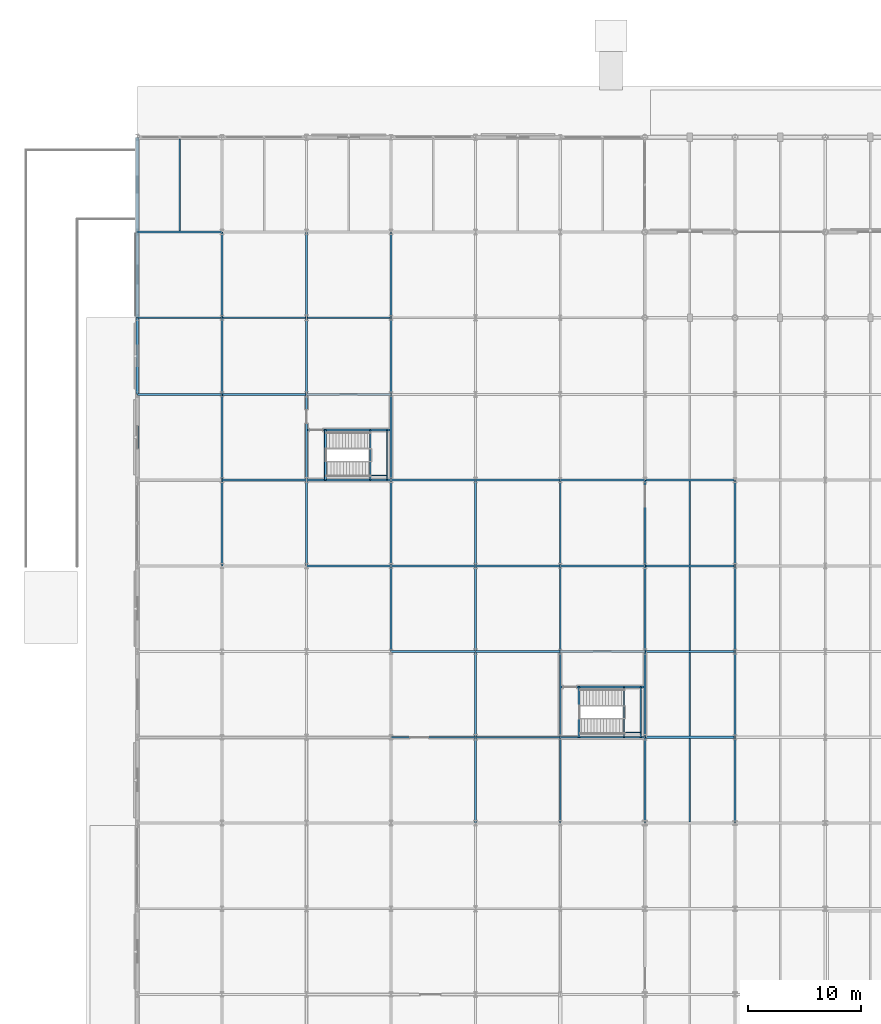
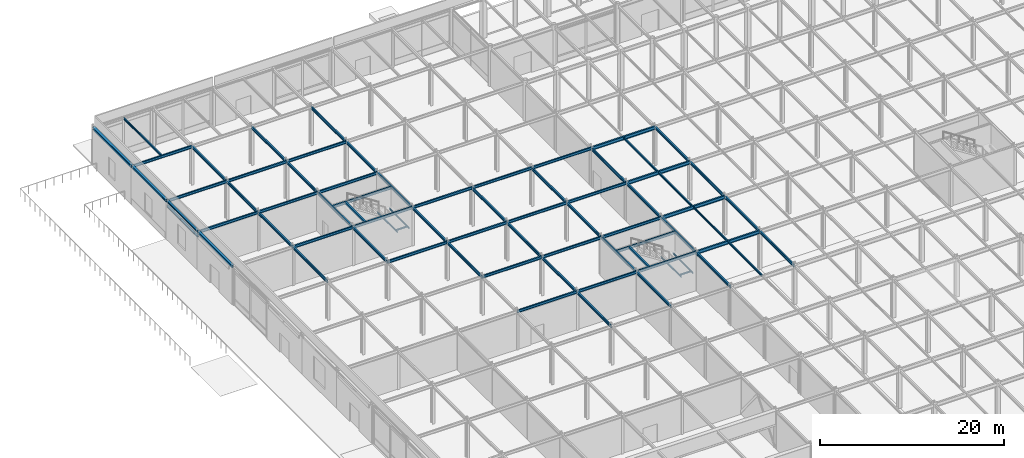
# One storey, part 30 of 89: 75 beams.
"""IFC4 building model written with IfcOpenShell, lengths in metres."""

from ifc_helpers import new_model, si_unit, direction, frame, origin, origin_2d, place, context, subcontext, project, spatial, hollow_rectangle, i_section, extrude, material, material_profile, profile_set, type_object, element, save


model = new_model("IFC4")

# Units and contexts
model_context = context("Model", 3, precision=1e-05, world=origin(), true_north=direction((0.0, 1.0)))
body_context = subcontext(model_context, "Body", "Model", "MODEL_VIEW")
ifc_project = project(units=[si_unit("LENGTHUNIT", "METRE"), si_unit("AREAUNIT", "SQUARE_METRE"), si_unit("VOLUMEUNIT", "CUBIC_METRE"), si_unit("PLANEANGLEUNIT", "RADIAN"), si_unit("MASSUNIT", "GRAM", prefix="KILO")], contexts=[model_context])

# Site, building, storey
site_placement = place(None, origin())
site = spatial("IfcSite", under=ifc_project, at=site_placement, CompositionType="ELEMENT")
building_placement = place(site_placement, origin())
building = spatial("IfcBuilding", under=site, at=building_placement, Name="Shalkamar Park Central Library", CompositionType="ELEMENT")
storey_placement = place(building_placement, origin())
storey = spatial("IfcBuildingStorey", under=building, at=storey_placement, Name="L01", CompositionType="ELEMENT", Elevation=0.0)

# Beams
ifc_material = material(Name="Steel S355", Category="steel")
ifc_material_profile_1 = material_profile(ifc_material, i_section(OverallWidth=0.10009765625, OverallDepth=0.199951171875, WebThickness=0.005615234375, FlangeThickness=0.008544921875, FilletRadius=0.011962890625, at=origin_2d()), Name="IPE 200")
ifc_profile_set_1 = profile_set([ifc_material_profile_1], Name="Steel S355")
beam_type_1 = type_object("IfcBeamType", Name="Composite Floor Joist IPE200", PredefinedType="JOIST", material=ifc_profile_set_1)
for number, where, z_axis, x_axis, name in (
    (1, (163.155029296875, 300.800048828125, 2.320068359375), (0.0, 1.0, 0.0), (-1.0, 0.0, 0.0), "Stair Half-Landing Beam ST-P2-L01-1"),
    (2, (164.64501953125, 300.800048828125, 2.320068359375), (0.0, 1.0, 0.0), (-1.0, 0.0, 0.0), "Stair Half-Landing Beam ST-P2-L01-2"),
):
    element("IfcBeam", number, at=place(storey_placement, frame(where, z_axis=z_axis, x_axis=x_axis)), inside=storey, type_object=beam_type_1, Name=name, PredefinedType="JOIST", context=body_context, shape_type="SweptSolid", body=[
        extrude(i_section(OverallWidth=0.10009765625, OverallDepth=0.199951171875, WebThickness=0.005615234375, FlangeThickness=0.008544921875, FilletRadius=0.011962890625, at=origin_2d()), origin(), (0.0, 0.0, 1.0), 4.449951171875),
    ])
beam_1_placement = place(storey_placement, frame((163.155029296875, 301.22509765625, 2.320068359375), z_axis=(1.0, 0.0, 0.0), x_axis=(0.0, 1.0, 0.0)))
element("IfcBeam", 3, at=beam_1_placement, inside=storey, type_object=beam_type_1, Name="Stair Half-Landing Cross Tie ST-P2-L01-3", PredefinedType="JOIST", context=body_context, shape_type="SweptSolid", body=[
    extrude(i_section(OverallWidth=0.10009765625, OverallDepth=0.199951171875, WebThickness=0.005615234375, FlangeThickness=0.008544921875, FilletRadius=0.011962890625, at=origin_2d()), origin(), (0.0, 0.0, 1.0), 1.489990234375),
])
for number, where, z_axis, x_axis, name in (
    (4, (140.655029296875, 323.60009765625, 2.320068359375), (0.0, 1.0, 0.0), (-1.0, 0.0, 0.0), "Stair Half-Landing Beam ST-P5-L01-1"),
    (5, (142.14501953125, 323.60009765625, 2.320068359375), (0.0, 1.0, 0.0), (-1.0, 0.0, 0.0), "Stair Half-Landing Beam ST-P5-L01-2"),
):
    element("IfcBeam", number, at=place(storey_placement, frame(where, z_axis=z_axis, x_axis=x_axis)), inside=storey, type_object=beam_type_1, Name=name, PredefinedType="JOIST", context=body_context, shape_type="SweptSolid", body=[
        extrude(i_section(OverallWidth=0.10009765625, OverallDepth=0.199951171875, WebThickness=0.005615234375, FlangeThickness=0.008544921875, FilletRadius=0.011962890625, at=origin_2d()), origin(), (0.0, 0.0, 1.0), 4.449951171875),
    ])
beam_2_placement = place(storey_placement, frame((140.655029296875, 324.02490234375, 2.320068359375), z_axis=(1.0, 0.0, 0.0), x_axis=(0.0, 1.0, 0.0)))
element("IfcBeam", 6, at=beam_2_placement, inside=storey, type_object=beam_type_1, Name="Stair Half-Landing Cross Tie ST-P5-L01-3", PredefinedType="JOIST", context=body_context, shape_type="SweptSolid", body=[
    extrude(i_section(OverallWidth=0.10009765625, OverallDepth=0.199951171875, WebThickness=0.005615234375, FlangeThickness=0.008544921875, FilletRadius=0.011962890625, at=origin_2d()), origin(), (0.0, 0.0, 1.0), 1.489990234375),
])
ifc_material_profile_2 = material_profile(ifc_material, i_section(OverallWidth=0.1201171875, OverallDepth=0.239990234375, WebThickness=0.006103515625, FlangeThickness=0.009765625, FilletRadius=0.014892578125, at=origin_2d()), Name="IPE 240")
ifc_profile_set_2 = profile_set([ifc_material_profile_2], Name="Steel S355")
beam_type_2 = type_object("IfcBeamType", Name="Composite Floor Joist IPE240", PredefinedType="JOIST", material=ifc_profile_set_2)
beam_3_placement = place(storey_placement, frame((169.0, 300.89306640625, 5.02001953125), z_axis=(0.0, 1.0, 0.0), x_axis=(-1.0, 0.0, 0.0)))
element("IfcBeam", 7, at=beam_3_placement, inside=storey, type_object=beam_type_2, Name="Composite Joist 07/J-1 (L01)", PredefinedType="JOIST", context=body_context, shape_type="SweptSolid", body=[
    extrude(i_section(OverallWidth=0.1201171875, OverallDepth=0.239990234375, WebThickness=0.006103515625, FlangeThickness=0.009765625, FilletRadius=0.014892578125, at=origin_2d()), origin(), (0.0, 0.0, 1.0), 7.413818359375),
])
ifc_material_profile_3 = material_profile(ifc_material, i_section(OverallWidth=0.135009765625, OverallDepth=0.27001953125, WebThickness=0.006591796875, FlangeThickness=0.01025390625, FilletRadius=0.014892578125, at=origin_2d()), Name="IPE 270")
ifc_profile_set_3 = profile_set([ifc_material_profile_3], Name="Steel S355")
beam_type_3 = type_object("IfcBeamType", Name="Composite Floor Joist IPE270", PredefinedType="JOIST", material=ifc_profile_set_3)
beam_4_placement = place(storey_placement, frame((123.75, 345.68310546875, 5.014892578125), z_axis=(0.0, 1.0, 0.0), x_axis=(-1.0, 0.0, 0.0)))
element("IfcBeam", 8, at=beam_4_placement, inside=storey, type_object=beam_type_3, Name="Composite Joist 01/Q-1 (L01)", PredefinedType="JOIST", context=body_context, shape_type="SweptSolid", body=[
    extrude(i_section(OverallWidth=0.135009765625, OverallDepth=0.27001953125, WebThickness=0.006591796875, FlangeThickness=0.01025390625, FilletRadius=0.014892578125, at=origin_2d()), origin(), (0.0, 0.0, 1.0), 8.178955078125),
])
beam_5_placement = place(storey_placement, frame((169.0, 293.298095703125, 5.0048828125), z_axis=(0.0, 1.0, 0.0), x_axis=(-1.0, 0.0, 0.0)))
element("IfcBeam", 9, at=beam_5_placement, inside=storey, type_object=beam_type_3, Name="Composite Joist 07/H-1 (L01)", PredefinedType="JOIST", context=body_context, shape_type="SweptSolid", body=[
    extrude(i_section(OverallWidth=0.135009765625, OverallDepth=0.27001953125, WebThickness=0.006591796875, FlangeThickness=0.01025390625, FilletRadius=0.014892578125, at=origin_2d()), origin(), (0.0, 0.0, 1.0), 7.408935546875),
])
for number, where, z_axis, x_axis, name in (
    (10, (169.0, 308.492919921875, 5.0048828125), (0.0, 1.0, 0.0), (-1.0, 0.0, 0.0), "Composite Joist 07/K-1 (L01)"),
    (11, (169.0, 316.093017578125, 5.0048828125), (0.0, 1.0, 0.0), (-1.0, 0.0, 0.0), "Composite Joist 07/L-1 (L01)"),
):
    element("IfcBeam", number, at=place(storey_placement, frame(where, z_axis=z_axis, x_axis=x_axis)), inside=storey, type_object=beam_type_3, Name=name, PredefinedType="JOIST", context=body_context, shape_type="SweptSolid", body=[
        extrude(i_section(OverallWidth=0.135009765625, OverallDepth=0.27001953125, WebThickness=0.006591796875, FlangeThickness=0.01025390625, FilletRadius=0.014892578125, at=origin_2d()), origin(), (0.0, 0.0, 1.0), 7.4140625),
    ])
ifc_material_profile_4 = material_profile(ifc_material, i_section(OverallWidth=0.199951171875, OverallDepth=0.18994140625, WebThickness=0.006591796875, FlangeThickness=0.010009765625, FilletRadius=0.01806640625, at=origin_2d()), Name="HEA 200")
ifc_profile_set_4 = profile_set([ifc_material_profile_4], Name="Steel S355")
beam_type_4 = type_object("IfcBeamType", Name="Opening Lintel Beam HEA200", PredefinedType="LINTEL", material=ifc_profile_set_4)
beam_6_placement = place(storey_placement, frame((120.0, 331.280029296875, 4.35009765625), z_axis=(0.0, 1.0, 0.0), x_axis=(-1.0, 0.0, 0.0)))
element("IfcBeam", 12, at=beam_6_placement, inside=storey, type_object=beam_type_4, Name="Opening Lintel L01-21", PredefinedType="LINTEL", context=body_context, shape_type="SweptSolid", body=[
    extrude(i_section(OverallWidth=0.199951171875, OverallDepth=0.18994140625, WebThickness=0.006591796875, FlangeThickness=0.010009765625, FilletRadius=0.01806640625, at=origin_2d()), origin(), (0.0, 0.0, 1.0), 6.639892578125),
])
ifc_material_profile_5 = material_profile(ifc_material, i_section(OverallWidth=0.239990234375, OverallDepth=0.22998046875, WebThickness=0.007568359375, FlangeThickness=0.011962890625, FilletRadius=0.02099609375, at=origin_2d()), Name="HEA 240")
ifc_profile_set_5 = profile_set([ifc_material_profile_5], Name="Steel S355")
beam_type_5 = type_object("IfcBeamType", Name="Perimeter Spandrel Beam HEA240", PredefinedType="SPANDREL", material=ifc_profile_set_5)
beam_7_placement = place(storey_placement, frame((120.0, 331.199951171875, 5.034912109375), z_axis=(0.0, 1.0, 0.0), x_axis=(-1.0, 0.0, 0.0)))
element("IfcBeam", 13, at=beam_7_placement, inside=storey, type_object=beam_type_5, Name="Beam 01:N-P (L01)", PredefinedType="SPANDREL", context=body_context, shape_type="SweptSolid", body=[
    extrude(i_section(OverallWidth=0.239990234375, OverallDepth=0.22998046875, WebThickness=0.007568359375, FlangeThickness=0.011962890625, FilletRadius=0.02099609375, at=origin_2d()), origin(), (0.0, 0.0, 1.0), 6.800048828125),
])
ifc_material_profile_6 = material_profile(ifc_material, i_section(OverallWidth=0.280029296875, OverallDepth=0.27001953125, WebThickness=0.008056640625, FlangeThickness=0.012939453125, FilletRadius=0.02392578125, at=origin_2d()), Name="HEA 280")
ifc_profile_set_6 = profile_set([ifc_material_profile_6], Name="Steel S355")
beam_type_6 = type_object("IfcBeamType", Name="Perimeter Spandrel Beam HEA280", PredefinedType="SPANDREL", material=ifc_profile_set_6)
beam_8_placement = place(storey_placement, frame((120.0, 323.60009765625, 5.014892578125), z_axis=(0.0, 1.0, 0.0), x_axis=(-1.0, 0.0, 0.0)))
element("IfcBeam", 14, at=beam_8_placement, inside=storey, type_object=beam_type_6, Name="Beam 01:M-N (L01)", PredefinedType="SPANDREL", context=body_context, shape_type="SweptSolid", body=[
    extrude(i_section(OverallWidth=0.280029296875, OverallDepth=0.27001953125, WebThickness=0.008056640625, FlangeThickness=0.012939453125, FilletRadius=0.02392578125, at=origin_2d()), origin(), (0.0, 0.0, 1.0), 7.599853515625),
])
beam_9_placement = place(storey_placement, frame((120.0, 338.0, 5.014892578125), z_axis=(0.0, 1.0, 0.0), x_axis=(-1.0, 0.0, 0.0)))
element("IfcBeam", 15, at=beam_9_placement, inside=storey, type_object=beam_type_6, Name="Beam 01:P-Q (L01)", PredefinedType="SPANDREL", context=body_context, shape_type="SweptSolid", body=[
    extrude(i_section(OverallWidth=0.280029296875, OverallDepth=0.27001953125, WebThickness=0.008056640625, FlangeThickness=0.012939453125, FilletRadius=0.02392578125, at=origin_2d()), origin(), (0.0, 0.0, 1.0), 7.60009765625),
])
ifc_material_profile_7 = material_profile(ifc_material, i_section(OverallWidth=0.300048828125, OverallDepth=0.31005859375, WebThickness=0.009033203125, FlangeThickness=0.015380859375, FilletRadius=0.027099609375, at=origin_2d()), Name="HEA 320")
ifc_profile_set_7 = profile_set([ifc_material_profile_7], Name="Steel S355")
beam_type_7 = type_object("IfcBeamType", Name="Perimeter Spandrel Beam HEA320", PredefinedType="SPANDREL", material=ifc_profile_set_7)
beam_10_placement = place(storey_placement, frame((120.0, 345.60009765625, 4.9951171875), z_axis=(0.0, 1.0, 0.0), x_axis=(-1.0, 0.0, 0.0)))
element("IfcBeam", 16, at=beam_10_placement, inside=storey, type_object=beam_type_7, Name="Beam 01:Q-R (L01)", PredefinedType="SPANDREL", context=body_context, shape_type="SweptSolid", body=[
    extrude(i_section(OverallWidth=0.300048828125, OverallDepth=0.31005859375, WebThickness=0.009033203125, FlangeThickness=0.015380859375, FilletRadius=0.027099609375, at=origin_2d()), origin(), (0.0, 0.0, 1.0), 8.39990234375),
])
ifc_material_profile_8 = material_profile(ifc_material, i_section(OverallWidth=0.169921875, OverallDepth=0.360107421875, WebThickness=0.008056640625, FlangeThickness=0.0126953125, FilletRadius=0.01806640625, at=origin_2d()), Name="IPE 360")
ifc_profile_set_8 = profile_set([ifc_material_profile_8], Name="Steel S355")
beam_type_8 = type_object("IfcBeamType", Name="Primary Girder IPE360", PredefinedType="BEAM", material=ifc_profile_set_8)
for number, where, z_axis, x_axis, name in (
    (17, (142.5, 300.800048828125, 4.9599609375), (1.0, 0.0, 0.0), (0.0, 1.0, 0.0), "Beam J:04-05 (L01)"),
    (18, (150.0, 300.800048828125, 4.9599609375), (1.0, 0.0, 0.0), (0.0, 1.0, 0.0), "Beam J:05-06 (L01)"),
    (19, (157.5, 300.800048828125, 4.9599609375), (1.0, 0.0, 0.0), (0.0, 1.0, 0.0), "Beam J:06-07 (L01)"),
    (20, (142.5, 308.39990234375, 4.9599609375), (1.0, 0.0, 0.0), (0.0, 1.0, 0.0), "Beam K:04-05 (L01)"),
    (21, (150.0, 308.39990234375, 4.9599609375), (1.0, 0.0, 0.0), (0.0, 1.0, 0.0), "Beam K:05-06 (L01)"),
    (22, (157.5, 308.39990234375, 4.9599609375), (1.0, 0.0, 0.0), (0.0, 1.0, 0.0), "Beam K:06-07 (L01)"),
    (23, (135.0, 316.0, 4.9599609375), (1.0, 0.0, 0.0), (0.0, 1.0, 0.0), "Beam L:03-04 (L01)"),
    (24, (142.5, 316.0, 4.9599609375), (1.0, 0.0, 0.0), (0.0, 1.0, 0.0), "Beam L:04-05 (L01)"),
    (25, (150.0, 316.0, 4.9599609375), (1.0, 0.0, 0.0), (0.0, 1.0, 0.0), "Beam L:05-06 (L01)"),
    (26, (157.5, 316.0, 4.9599609375), (1.0, 0.0, 0.0), (0.0, 1.0, 0.0), "Beam L:06-07 (L01)"),
    (27, (127.5, 323.60009765625, 4.9599609375), (1.0, 0.0, 0.0), (0.0, 1.0, 0.0), "Beam M:02-03 (L01)"),
    (28, (135.0, 323.60009765625, 4.9599609375), (1.0, 0.0, 0.0), (0.0, 1.0, 0.0), "Beam M:03-04 (L01)"),
    (29, (142.5, 323.60009765625, 4.9599609375), (1.0, 0.0, 0.0), (0.0, 1.0, 0.0), "Beam M:04-05 (L01)"),
    (30, (150.0, 323.60009765625, 4.9599609375), (1.0, 0.0, 0.0), (0.0, 1.0, 0.0), "Beam M:05-06 (L01)"),
    (31, (157.5, 323.60009765625, 4.9599609375), (1.0, 0.0, 0.0), (0.0, 1.0, 0.0), "Beam M:06-07 (L01)"),
    (32, (120.0, 331.199951171875, 4.969970703125), (1.0, 0.0, 0.0), (0.0, 1.0, 0.0), "Beam N:01-02 (L01)"),
    (33, (127.5, 331.199951171875, 4.9599609375), (1.0, 0.0, 0.0), (0.0, 1.0, 0.0), "Beam N:02-03 (L01)"),
    (34, (135.0, 331.199951171875, 4.9599609375), (1.0, 0.0, 0.0), (0.0, 1.0, 0.0), "Beam N:03-04 (L01)"),
    (35, (120.0, 338.0, 4.969970703125), (1.0, 0.0, 0.0), (0.0, 1.0, 0.0), "Beam P:01-02 (L01)"),
    (36, (127.5, 338.0, 4.9599609375), (1.0, 0.0, 0.0), (0.0, 1.0, 0.0), "Beam P:02-03 (L01)"),
    (37, (135.0, 338.0, 4.9599609375), (1.0, 0.0, 0.0), (0.0, 1.0, 0.0), "Beam P:03-04 (L01)"),
    (38, (120.0, 345.60009765625, 4.969970703125), (1.0, 0.0, 0.0), (0.0, 1.0, 0.0), "Beam Q:01-02 (L01)"),
):
    element("IfcBeam", number, at=place(storey_placement, frame(where, z_axis=z_axis, x_axis=x_axis)), inside=storey, type_object=beam_type_8, Name=name, PredefinedType="BEAM", context=body_context, shape_type="SweptSolid", body=[
        extrude(i_section(OverallWidth=0.169921875, OverallDepth=0.360107421875, WebThickness=0.008056640625, FlangeThickness=0.0126953125, FilletRadius=0.01806640625, at=origin_2d()), origin(), (0.0, 0.0, 1.0), 7.5),
    ])
beam_11_placement = place(storey_placement, frame((127.5, 316.0, 4.969970703125), z_axis=(0.0, 1.0, 0.0), x_axis=(-1.0, 0.0, 0.0)))
element("IfcBeam", 39, at=beam_11_placement, inside=storey, type_object=beam_type_8, Name="Beam 02:L-M (L01)", PredefinedType="BEAM", context=body_context, shape_type="SweptSolid", body=[
    extrude(i_section(OverallWidth=0.169921875, OverallDepth=0.360107421875, WebThickness=0.008056640625, FlangeThickness=0.0126953125, FilletRadius=0.01806640625, at=origin_2d()), origin(), (0.0, 0.0, 1.0), 7.60009765625),
])
beam_12_placement = place(storey_placement, frame((127.5, 323.60009765625, 4.969970703125), z_axis=(0.0, 1.0, 0.0), x_axis=(-1.0, 0.0, 0.0)))
element("IfcBeam", 40, at=beam_12_placement, inside=storey, type_object=beam_type_8, Name="Beam 02:M-N (L01)", PredefinedType="BEAM", context=body_context, shape_type="SweptSolid", body=[
    extrude(i_section(OverallWidth=0.169921875, OverallDepth=0.360107421875, WebThickness=0.008056640625, FlangeThickness=0.0126953125, FilletRadius=0.01806640625, at=origin_2d()), origin(), (0.0, 0.0, 1.0), 7.599853515625),
])
beam_13_placement = place(storey_placement, frame((127.5, 331.199951171875, 4.969970703125), z_axis=(0.0, 1.0, 0.0), x_axis=(-1.0, 0.0, 0.0)))
element("IfcBeam", 41, at=beam_13_placement, inside=storey, type_object=beam_type_8, Name="Beam 02:N-P (L01)", PredefinedType="BEAM", context=body_context, shape_type="SweptSolid", body=[
    extrude(i_section(OverallWidth=0.169921875, OverallDepth=0.360107421875, WebThickness=0.008056640625, FlangeThickness=0.0126953125, FilletRadius=0.01806640625, at=origin_2d()), origin(), (0.0, 0.0, 1.0), 6.800048828125),
])
for number, where, z_axis, x_axis, name in (
    (42, (127.5, 338.0, 4.969970703125), (0.0, 1.0, 0.0), (-1.0, 0.0, 0.0), "Beam 02:P-Q (L01)"),
    (43, (135.0, 316.0, 4.9599609375), (0.0, 1.0, 0.0), (-1.0, 0.0, 0.0), "Beam 03:L-M (L01)"),
):
    element("IfcBeam", number, at=place(storey_placement, frame(where, z_axis=z_axis, x_axis=x_axis)), inside=storey, type_object=beam_type_8, Name=name, PredefinedType="BEAM", context=body_context, shape_type="SweptSolid", body=[
        extrude(i_section(OverallWidth=0.169921875, OverallDepth=0.360107421875, WebThickness=0.008056640625, FlangeThickness=0.0126953125, FilletRadius=0.01806640625, at=origin_2d()), origin(), (0.0, 0.0, 1.0), 7.60009765625),
    ])
beam_14_placement = place(storey_placement, frame((135.0, 323.60009765625, 4.9599609375), z_axis=(0.0, 1.0, 0.0), x_axis=(-1.0, 0.0, 0.0)))
element("IfcBeam", 44, at=beam_14_placement, inside=storey, type_object=beam_type_8, Name="Beam 03:M-N (L01)", PredefinedType="BEAM", context=body_context, shape_type="SweptSolid", body=[
    extrude(i_section(OverallWidth=0.169921875, OverallDepth=0.360107421875, WebThickness=0.008056640625, FlangeThickness=0.0126953125, FilletRadius=0.01806640625, at=origin_2d()), origin(), (0.0, 0.0, 1.0), 7.599853515625),
])
beam_15_placement = place(storey_placement, frame((135.0, 331.199951171875, 4.9599609375), z_axis=(0.0, 1.0, 0.0), x_axis=(-1.0, 0.0, 0.0)))
element("IfcBeam", 45, at=beam_15_placement, inside=storey, type_object=beam_type_8, Name="Beam 03:N-P (L01)", PredefinedType="BEAM", context=body_context, shape_type="SweptSolid", body=[
    extrude(i_section(OverallWidth=0.169921875, OverallDepth=0.360107421875, WebThickness=0.008056640625, FlangeThickness=0.0126953125, FilletRadius=0.01806640625, at=origin_2d()), origin(), (0.0, 0.0, 1.0), 6.800048828125),
])
for number, where, z_axis, x_axis, name in (
    (46, (135.0, 338.0, 4.9599609375), (0.0, 1.0, 0.0), (-1.0, 0.0, 0.0), "Beam 03:P-Q (L01)"),
    (47, (142.5, 308.39990234375, 4.9599609375), (0.0, 1.0, 0.0), (-1.0, 0.0, 0.0), "Beam 04:K-L (L01)"),
    (48, (142.5, 316.0, 4.9599609375), (0.0, 1.0, 0.0), (-1.0, 0.0, 0.0), "Beam 04:L-M (L01)"),
):
    element("IfcBeam", number, at=place(storey_placement, frame(where, z_axis=z_axis, x_axis=x_axis)), inside=storey, type_object=beam_type_8, Name=name, PredefinedType="BEAM", context=body_context, shape_type="SweptSolid", body=[
        extrude(i_section(OverallWidth=0.169921875, OverallDepth=0.360107421875, WebThickness=0.008056640625, FlangeThickness=0.0126953125, FilletRadius=0.01806640625, at=origin_2d()), origin(), (0.0, 0.0, 1.0), 7.60009765625),
    ])
beam_16_placement = place(storey_placement, frame((142.5, 323.60009765625, 4.9599609375), z_axis=(0.0, 1.0, 0.0), x_axis=(-1.0, 0.0, 0.0)))
element("IfcBeam", 49, at=beam_16_placement, inside=storey, type_object=beam_type_8, Name="Beam 04:M-N (L01)", PredefinedType="BEAM", context=body_context, shape_type="SweptSolid", body=[
    extrude(i_section(OverallWidth=0.169921875, OverallDepth=0.360107421875, WebThickness=0.008056640625, FlangeThickness=0.0126953125, FilletRadius=0.01806640625, at=origin_2d()), origin(), (0.0, 0.0, 1.0), 7.599853515625),
])
beam_17_placement = place(storey_placement, frame((142.5, 331.199951171875, 4.9599609375), z_axis=(0.0, 1.0, 0.0), x_axis=(-1.0, 0.0, 0.0)))
element("IfcBeam", 50, at=beam_17_placement, inside=storey, type_object=beam_type_8, Name="Beam 04:N-P (L01)", PredefinedType="BEAM", context=body_context, shape_type="SweptSolid", body=[
    extrude(i_section(OverallWidth=0.169921875, OverallDepth=0.360107421875, WebThickness=0.008056640625, FlangeThickness=0.0126953125, FilletRadius=0.01806640625, at=origin_2d()), origin(), (0.0, 0.0, 1.0), 6.800048828125),
])
for number, where, z_axis, x_axis, name in (
    (51, (142.5, 338.0, 4.9599609375), (0.0, 1.0, 0.0), (-1.0, 0.0, 0.0), "Beam 04:P-Q (L01)"),
    (52, (150.0, 293.199951171875, 4.9599609375), (0.0, 1.0, 0.0), (-1.0, 0.0, 0.0), "Beam 05:H-J (L01)"),
):
    element("IfcBeam", number, at=place(storey_placement, frame(where, z_axis=z_axis, x_axis=x_axis)), inside=storey, type_object=beam_type_8, Name=name, PredefinedType="BEAM", context=body_context, shape_type="SweptSolid", body=[
        extrude(i_section(OverallWidth=0.169921875, OverallDepth=0.360107421875, WebThickness=0.008056640625, FlangeThickness=0.0126953125, FilletRadius=0.01806640625, at=origin_2d()), origin(), (0.0, 0.0, 1.0), 7.60009765625),
    ])
beam_18_placement = place(storey_placement, frame((150.0, 300.800048828125, 4.9599609375), z_axis=(0.0, 1.0, 0.0), x_axis=(-1.0, 0.0, 0.0)))
element("IfcBeam", 53, at=beam_18_placement, inside=storey, type_object=beam_type_8, Name="Beam 05:J-K (L01)", PredefinedType="BEAM", context=body_context, shape_type="SweptSolid", body=[
    extrude(i_section(OverallWidth=0.169921875, OverallDepth=0.360107421875, WebThickness=0.008056640625, FlangeThickness=0.0126953125, FilletRadius=0.01806640625, at=origin_2d()), origin(), (0.0, 0.0, 1.0), 7.599853515625),
])
for number, where, z_axis, x_axis, name in (
    (54, (150.0, 308.39990234375, 4.9599609375), (0.0, 1.0, 0.0), (-1.0, 0.0, 0.0), "Beam 05:K-L (L01)"),
    (55, (150.0, 316.0, 4.9599609375), (0.0, 1.0, 0.0), (-1.0, 0.0, 0.0), "Beam 05:L-M (L01)"),
    (56, (157.5, 293.199951171875, 4.9599609375), (0.0, 1.0, 0.0), (-1.0, 0.0, 0.0), "Beam 06:H-J (L01)"),
):
    element("IfcBeam", number, at=place(storey_placement, frame(where, z_axis=z_axis, x_axis=x_axis)), inside=storey, type_object=beam_type_8, Name=name, PredefinedType="BEAM", context=body_context, shape_type="SweptSolid", body=[
        extrude(i_section(OverallWidth=0.169921875, OverallDepth=0.360107421875, WebThickness=0.008056640625, FlangeThickness=0.0126953125, FilletRadius=0.01806640625, at=origin_2d()), origin(), (0.0, 0.0, 1.0), 7.60009765625),
    ])
beam_19_placement = place(storey_placement, frame((157.5, 300.800048828125, 4.9599609375), z_axis=(0.0, 1.0, 0.0), x_axis=(-1.0, 0.0, 0.0)))
element("IfcBeam", 57, at=beam_19_placement, inside=storey, type_object=beam_type_8, Name="Beam 06:J-K (L01)", PredefinedType="BEAM", context=body_context, shape_type="SweptSolid", body=[
    extrude(i_section(OverallWidth=0.169921875, OverallDepth=0.360107421875, WebThickness=0.008056640625, FlangeThickness=0.0126953125, FilletRadius=0.01806640625, at=origin_2d()), origin(), (0.0, 0.0, 1.0), 7.599853515625),
])
for number, where, z_axis, x_axis, name in (
    (58, (157.5, 308.39990234375, 4.9599609375), (0.0, 1.0, 0.0), (-1.0, 0.0, 0.0), "Beam 06:K-L (L01)"),
    (59, (157.5, 316.0, 4.9599609375), (0.0, 1.0, 0.0), (-1.0, 0.0, 0.0), "Beam 06:L-M (L01)"),
    (60, (165.0, 293.199951171875, 4.9599609375), (0.0, 1.0, 0.0), (-1.0, 0.0, 0.0), "Beam 07:H-J (L01)"),
):
    element("IfcBeam", number, at=place(storey_placement, frame(where, z_axis=z_axis, x_axis=x_axis)), inside=storey, type_object=beam_type_8, Name=name, PredefinedType="BEAM", context=body_context, shape_type="SweptSolid", body=[
        extrude(i_section(OverallWidth=0.169921875, OverallDepth=0.360107421875, WebThickness=0.008056640625, FlangeThickness=0.0126953125, FilletRadius=0.01806640625, at=origin_2d()), origin(), (0.0, 0.0, 1.0), 7.60009765625),
    ])
beam_20_placement = place(storey_placement, frame((165.0, 300.800048828125, 4.9599609375), z_axis=(0.0, 1.0, 0.0), x_axis=(-1.0, 0.0, 0.0)))
element("IfcBeam", 61, at=beam_20_placement, inside=storey, type_object=beam_type_8, Name="Beam 07:J-K (L01)", PredefinedType="BEAM", context=body_context, shape_type="SweptSolid", body=[
    extrude(i_section(OverallWidth=0.169921875, OverallDepth=0.360107421875, WebThickness=0.008056640625, FlangeThickness=0.0126953125, FilletRadius=0.01806640625, at=origin_2d()), origin(), (0.0, 0.0, 1.0), 7.599853515625),
])
for number, where, z_axis, x_axis, name in (
    (62, (165.0, 308.39990234375, 4.9599609375), (0.0, 1.0, 0.0), (-1.0, 0.0, 0.0), "Beam 07:K-L (L01)"),
    (63, (165.0, 316.0, 4.9599609375), (0.0, 1.0, 0.0), (-1.0, 0.0, 0.0), "Beam 07:L-M (L01)"),
    (64, (173.0, 293.199951171875, 4.9599609375), (0.0, 1.0, 0.0), (-1.0, 0.0, 0.0), "Beam 08:H-J (L01)"),
):
    element("IfcBeam", number, at=place(storey_placement, frame(where, z_axis=z_axis, x_axis=x_axis)), inside=storey, type_object=beam_type_8, Name=name, PredefinedType="BEAM", context=body_context, shape_type="SweptSolid", body=[
        extrude(i_section(OverallWidth=0.169921875, OverallDepth=0.360107421875, WebThickness=0.008056640625, FlangeThickness=0.0126953125, FilletRadius=0.01806640625, at=origin_2d()), origin(), (0.0, 0.0, 1.0), 7.60009765625),
    ])
beam_21_placement = place(storey_placement, frame((173.0, 300.800048828125, 4.9599609375), z_axis=(0.0, 1.0, 0.0), x_axis=(-1.0, 0.0, 0.0)))
element("IfcBeam", 65, at=beam_21_placement, inside=storey, type_object=beam_type_8, Name="Beam 08:J-K (L01)", PredefinedType="BEAM", context=body_context, shape_type="SweptSolid", body=[
    extrude(i_section(OverallWidth=0.169921875, OverallDepth=0.360107421875, WebThickness=0.008056640625, FlangeThickness=0.0126953125, FilletRadius=0.01806640625, at=origin_2d()), origin(), (0.0, 0.0, 1.0), 7.599853515625),
])
for number, where, z_axis, x_axis, name in (
    (66, (173.0, 308.39990234375, 4.9599609375), (0.0, 1.0, 0.0), (-1.0, 0.0, 0.0), "Beam 08:K-L (L01)"),
    (67, (173.0, 316.0, 4.9599609375), (0.0, 1.0, 0.0), (-1.0, 0.0, 0.0), "Beam 08:L-M (L01)"),
):
    element("IfcBeam", number, at=place(storey_placement, frame(where, z_axis=z_axis, x_axis=x_axis)), inside=storey, type_object=beam_type_8, Name=name, PredefinedType="BEAM", context=body_context, shape_type="SweptSolid", body=[
        extrude(i_section(OverallWidth=0.169921875, OverallDepth=0.360107421875, WebThickness=0.008056640625, FlangeThickness=0.0126953125, FilletRadius=0.01806640625, at=origin_2d()), origin(), (0.0, 0.0, 1.0), 7.60009765625),
    ])
for number, where, z_axis, x_axis, name in (
    (68, (157.587890625, 305.25, 4.9599609375), (1.0, 0.0, 0.0), (0.0, 1.0, 0.0), "CORE-P2 Stairwell Divider Beam (L01)"),
    (69, (135.087890625, 328.050048828125, 4.9599609375), (1.0, 0.0, 0.0), (0.0, 1.0, 0.0), "CORE-P5 Stairwell Divider Beam (L01)"),
):
    element("IfcBeam", number, at=place(storey_placement, frame(where, z_axis=z_axis, x_axis=x_axis)), inside=storey, type_object=beam_type_8, Name=name, PredefinedType="BEAM", context=body_context, shape_type="SweptSolid", body=[
        extrude(i_section(OverallWidth=0.169921875, OverallDepth=0.360107421875, WebThickness=0.008056640625, FlangeThickness=0.0126953125, FilletRadius=0.01806640625, at=origin_2d()), origin(), (0.0, 0.0, 1.0), 7.32421875),
    ])
ifc_material_profile_9 = material_profile(ifc_material, i_section(OverallWidth=0.18994140625, OverallDepth=0.449951171875, WebThickness=0.009521484375, FlangeThickness=0.0146484375, FilletRadius=0.02099609375, at=origin_2d()), Name="IPE 450")
ifc_profile_set_9 = profile_set([ifc_material_profile_9], Name="Steel S355")
beam_type_9 = type_object("IfcBeamType", Name="Primary Girder IPE450", PredefinedType="BEAM", material=ifc_profile_set_9)
for number, where, z_axis, x_axis, name in (
    (70, (165.0, 300.800048828125, 4.9150390625), (1.0, 0.0, 0.0), (0.0, 1.0, 0.0), "Beam J:07-08 (L01)"),
    (71, (165.0, 308.39990234375, 4.9150390625), (1.0, 0.0, 0.0), (0.0, 1.0, 0.0), "Beam K:07-08 (L01)"),
    (72, (165.0, 316.0, 4.9150390625), (1.0, 0.0, 0.0), (0.0, 1.0, 0.0), "Beam L:07-08 (L01)"),
    (73, (165.0, 323.60009765625, 4.9150390625), (1.0, 0.0, 0.0), (0.0, 1.0, 0.0), "Beam M:07-08 (L01)"),
):
    element("IfcBeam", number, at=place(storey_placement, frame(where, z_axis=z_axis, x_axis=x_axis)), inside=storey, type_object=beam_type_9, Name=name, PredefinedType="BEAM", context=body_context, shape_type="SweptSolid", body=[
        extrude(i_section(OverallWidth=0.18994140625, OverallDepth=0.449951171875, WebThickness=0.009521484375, FlangeThickness=0.0146484375, FilletRadius=0.02099609375, at=origin_2d()), origin(), (0.0, 0.0, 1.0), 8.0),
    ])
ifc_material_profile_10 = material_profile(ifc_material, hollow_rectangle(XDim=0.199951171875, YDim=0.300048828125, WallThickness=0.011962890625, InnerFilletRadius=0.011962890625, OuterFilletRadius=0.01806640625, at=origin_2d()), Name="RHS 300x200x12")
ifc_profile_set_10 = profile_set([ifc_material_profile_10], Name="Steel S355")
beam_type_10 = type_object("IfcBeamType", Name="Stair Trimmer Box RHS300x200", PredefinedType="BEAM", material=ifc_profile_set_10)
for number, where, z_axis, x_axis, name in (
    (74, (159.175048828125, 300.800048828125, 4.989990234375), (0.0, 1.0, 0.0), (-1.0, 0.0, 0.0), "Stair Arrival Trimmer Girder ST-P2-L01"),
    (75, (136.675048828125, 323.60009765625, 4.989990234375), (0.0, 1.0, 0.0), (-1.0, 0.0, 0.0), "Stair Arrival Trimmer Girder ST-P5-L01"),
):
    element("IfcBeam", number, at=place(storey_placement, frame(where, z_axis=z_axis, x_axis=x_axis)), inside=storey, type_object=beam_type_10, Name=name, PredefinedType="BEAM", context=body_context, shape_type="SweptSolid", body=[
        extrude(hollow_rectangle(XDim=0.199951171875, YDim=0.300048828125, WallThickness=0.011962890625, InnerFilletRadius=0.011962890625, OuterFilletRadius=0.01806640625, at=origin_2d()), origin(), (0.0, 0.0, 1.0), 4.449951171875),
    ])

save(model, "model.ifc")
